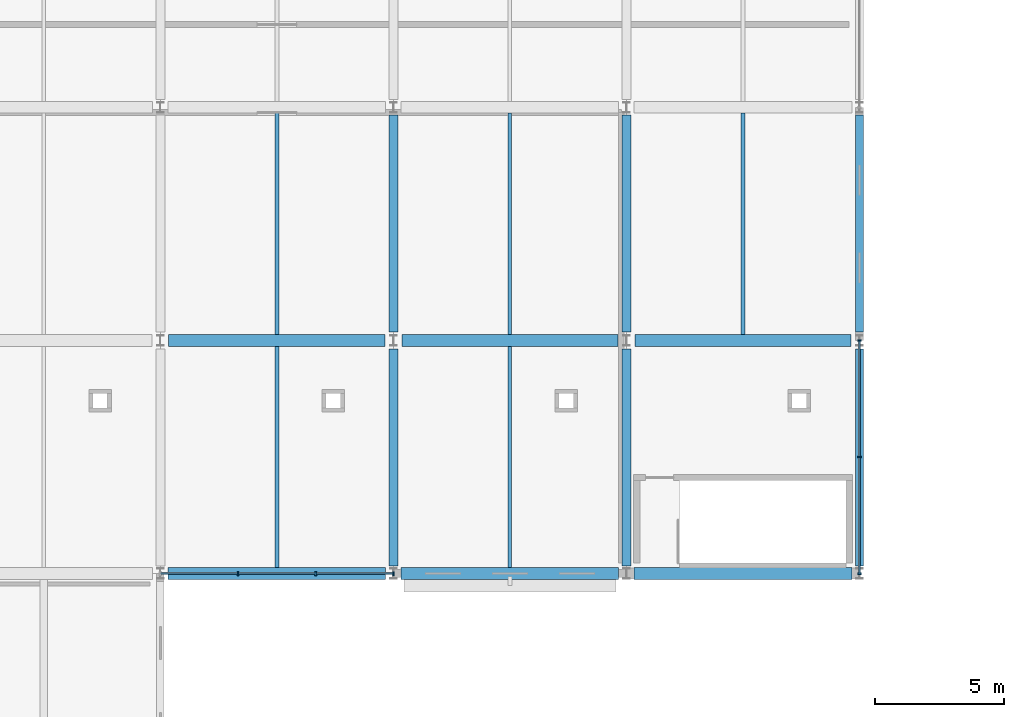
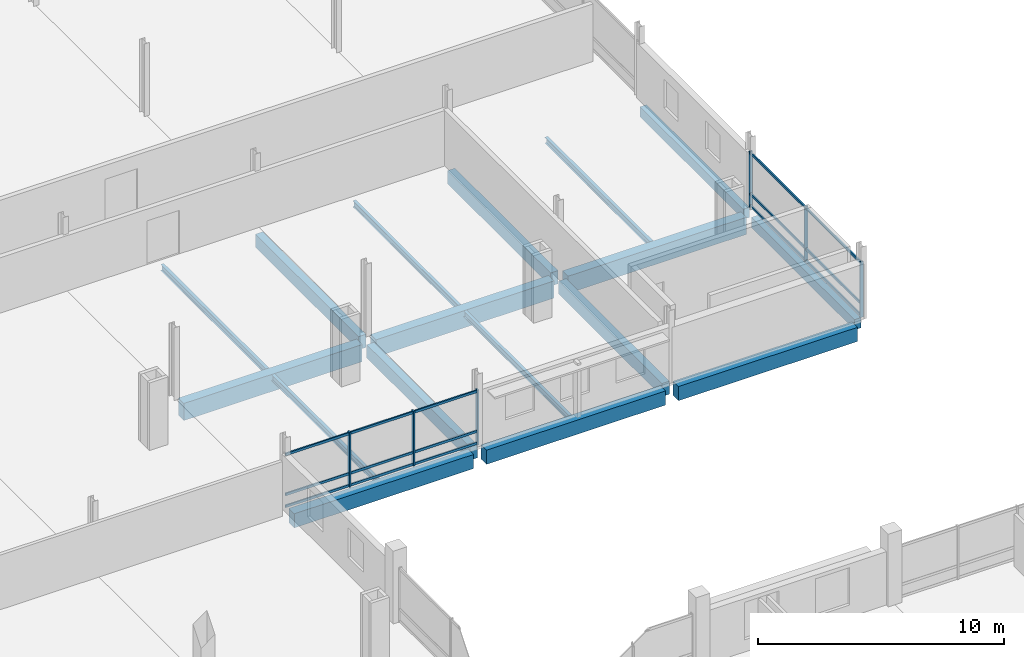
# One storey, part 43 of 132: 21 members, 17 beams, 2 elements without a shape of their own.
"""IFC4 building model written with IfcOpenShell, lengths in metres."""

from ifc_helpers import new_model, si_unit, direction, frame, origin, origin_2d, place, context, subcontext, project, spatial, rectangle, i_section, extrude, material, material_profile, profile_set, type_object, element, aggregate, save


model = new_model("IFC4")

# Units and contexts
model_context = context("Model", 3, precision=1e-05, world=origin(), true_north=direction((0.0, 1.0)))
body_context = subcontext(model_context, "Body", "Model", "MODEL_VIEW")
ifc_project = project(units=[si_unit("LENGTHUNIT", "METRE"), si_unit("AREAUNIT", "SQUARE_METRE"), si_unit("VOLUMEUNIT", "CUBIC_METRE"), si_unit("PLANEANGLEUNIT", "RADIAN"), si_unit("MASSUNIT", "GRAM", prefix="KILO")], contexts=[model_context])

# Site, building, storey
site_placement = place(None, origin())
site = spatial("IfcSite", under=ifc_project, at=site_placement, CompositionType="ELEMENT")
building_placement = place(site_placement, origin())
building = spatial("IfcBuilding", under=site, at=building_placement, Name="Tharagai Park Tramway Depot", CompositionType="ELEMENT")
storey_placement = place(building_placement, frame((0.0, 0.0, 4.800048828125)))
storey = spatial("IfcBuildingStorey", under=building, at=storey_placement, Name="L01", CompositionType="ELEMENT", Elevation=4.800048828125)

# Beams
ifc_material_1 = material(Name="Concrete M35", Category="concrete")
ifc_material_profile_1 = material_profile(ifc_material_1, rectangle(XDim=0.449951171875, YDim=0.85009765625, at=origin_2d()), Name="RC 450x850")
ifc_profile_set_1 = profile_set([ifc_material_profile_1], Name="Concrete M35")
beam_type_1 = type_object("IfcBeamType", Name="BM-03", PredefinedType="BEAM", material=ifc_profile_set_1)
for number, where, z_axis, x_axis, name in (
    (1, (63.324951171875, 54.0, -0.705078125), (1.0, 0.0, 0.0), (0.0, 1.0, 0.0), "L01 Grid Beam BM-03"),
    (2, (72.324951171875, 54.0, -0.705078125), (1.0, 0.0, 0.0), (0.0, 1.0, 0.0), "L01 Grid Beam BM-03"),
    (3, (81.324951171875, 54.0, -0.705078125), (1.0, 0.0, 0.0), (0.0, 1.0, 0.0), "L01 Grid Beam BM-03"),
):
    element("IfcBeam", number, at=place(storey_placement, frame(where, z_axis=z_axis, x_axis=x_axis)), inside=storey, type_object=beam_type_1, Name=name, PredefinedType="BEAM", context=body_context, shape_type="SweptSolid", body=[
        extrude(rectangle(XDim=0.449951171875, YDim=0.85009765625, at=origin_2d()), origin(), (0.0, 0.0, 1.0), 8.35009765625),
    ])
ifc_material_profile_2 = material_profile(ifc_material_1, rectangle(XDim=0.35009765625, YDim=0.64990234375, at=origin_2d()), Name="RC 350x650")
ifc_profile_set_2 = profile_set([ifc_material_profile_2], Name="Concrete M35")
beam_type_2 = type_object("IfcBeamType", Name="BM-13", PredefinedType="BEAM", material=ifc_profile_set_2)
for number, where, z_axis, x_axis, name in (
    (4, (72.0, 45.300048828125, -0.60498046875), (0.0, 1.0, 0.0), (-1.0, 0.0, 0.0), "L01 Grid Beam BM-13"),
    (5, (72.0, 54.324951171875, -0.60498046875), (0.0, 1.0, 0.0), (-1.0, 0.0, 0.0), "L01 Grid Beam BM-13"),
    (6, (81.0, 45.300048828125, -0.60498046875), (0.0, 1.0, 0.0), (-1.0, 0.0, 0.0), "L01 Grid Beam BM-13"),
    (7, (81.0, 54.324951171875, -0.60498046875), (0.0, 1.0, 0.0), (-1.0, 0.0, 0.0), "L01 Grid Beam BM-13"),
):
    element("IfcBeam", number, at=place(storey_placement, frame(where, z_axis=z_axis, x_axis=x_axis)), inside=storey, type_object=beam_type_2, Name=name, PredefinedType="BEAM", context=body_context, shape_type="SweptSolid", body=[
        extrude(rectangle(XDim=0.35009765625, YDim=0.64990234375, at=origin_2d()), origin(), (0.0, 0.0, 1.0), 8.375),
    ])

# Curtain wall, members
ifc_material_2 = material(Name="Anodised aluminium", Category="aluminium")
curtain_wall_type_1 = type_object("IfcCurtainWallType", Name="CW-01", PredefinedType="NOTDEFINED", material=ifc_material_2)
curtain_wall_1_placement = place(storey_placement, origin())
curtain_wall_1 = element("IfcCurtainWall", 8, at=curtain_wall_1_placement, inside=storey, type_object=curtain_wall_type_1, Name="L01 V2 Gothic Mullioned Curtain Wall CW-01", PredefinedType="NOTDEFINED")
ifc_material_profile_3 = material_profile(ifc_material_2, rectangle(XDim=0.06494140625, YDim=0.1201171875, at=origin_2d()), Name="ALU 65x120")
ifc_profile_set_3 = profile_set([ifc_material_profile_3], Name="Anodised aluminium")
member_type_1 = type_object("IfcMemberType", Name="CM-01", PredefinedType="USERDEFINED", material=ifc_profile_set_3)
member_1_placement = place(storey_placement, frame((63.010986328125, 45.0, 0.06005859375), z_axis=(1.0, 0.0, 0.0), x_axis=(0.0, 1.0, 0.0)))
member_1 = element("IfcMember", 9, at=member_1_placement, type_object=member_type_1, Name="L01 V2 Gothic Mullioned Curtain Wall Transom 1.1", ObjectType="TRANSOM", PredefinedType="USERDEFINED", context=body_context, shape_type="SweptSolid", body=[
    extrude(rectangle(XDim=0.06494140625, YDim=0.1201171875, at=origin_2d()), origin(), (0.0, 0.0, 1.0), 2.97265625),
])
member_2_placement = place(storey_placement, frame((63.010986328125, 45.0, 0.64990234375), z_axis=(1.0, 0.0, 0.0), x_axis=(0.0, 1.0, 0.0)))
member_2 = element("IfcMember", 10, at=member_2_placement, type_object=member_type_1, Name="L01 V2 Gothic Mullioned Curtain Wall Transom 1.2", ObjectType="TRANSOM", PredefinedType="USERDEFINED", context=body_context, shape_type="SweptSolid", body=[
    extrude(rectangle(XDim=0.06494140625, YDim=0.1201171875, at=origin_2d()), origin(), (0.0, 0.0, 1.0), 2.97265625),
])
member_3_placement = place(storey_placement, frame((63.010986328125, 45.0, 2.6298828125), z_axis=(1.0, 0.0, 0.0), x_axis=(0.0, 1.0, 0.0)))
member_3 = element("IfcMember", 11, at=member_3_placement, type_object=member_type_1, Name="L01 V2 Gothic Mullioned Curtain Wall Transom 1.3", ObjectType="TRANSOM", PredefinedType="USERDEFINED", context=body_context, shape_type="SweptSolid", body=[
    extrude(rectangle(XDim=0.06494140625, YDim=0.1201171875, at=origin_2d()), origin(), (0.0, 0.0, 1.0), 2.97265625),
])
member_4_placement = place(storey_placement, frame((66.013671875, 45.0, 0.06005859375), z_axis=(1.0, 0.0, 0.0), x_axis=(0.0, 1.0, 0.0)))
member_4 = element("IfcMember", 12, at=member_4_placement, type_object=member_type_1, Name="L01 V2 Gothic Mullioned Curtain Wall Transom 2.1", ObjectType="TRANSOM", PredefinedType="USERDEFINED", context=body_context, shape_type="SweptSolid", body=[
    extrude(rectangle(XDim=0.06494140625, YDim=0.1201171875, at=origin_2d()), origin(), (0.0, 0.0, 1.0), 2.97265625),
])
member_5_placement = place(storey_placement, frame((66.013671875, 45.0, 0.64990234375), z_axis=(1.0, 0.0, 0.0), x_axis=(0.0, 1.0, 0.0)))
member_5 = element("IfcMember", 13, at=member_5_placement, type_object=member_type_1, Name="L01 V2 Gothic Mullioned Curtain Wall Transom 2.2", ObjectType="TRANSOM", PredefinedType="USERDEFINED", context=body_context, shape_type="SweptSolid", body=[
    extrude(rectangle(XDim=0.06494140625, YDim=0.1201171875, at=origin_2d()), origin(), (0.0, 0.0, 1.0), 2.97265625),
])
member_6_placement = place(storey_placement, frame((66.013671875, 45.0, 2.6298828125), z_axis=(1.0, 0.0, 0.0), x_axis=(0.0, 1.0, 0.0)))
member_6 = element("IfcMember", 14, at=member_6_placement, type_object=member_type_1, Name="L01 V2 Gothic Mullioned Curtain Wall Transom 2.3", ObjectType="TRANSOM", PredefinedType="USERDEFINED", context=body_context, shape_type="SweptSolid", body=[
    extrude(rectangle(XDim=0.06494140625, YDim=0.1201171875, at=origin_2d()), origin(), (0.0, 0.0, 1.0), 2.97265625),
])
member_7_placement = place(storey_placement, frame((69.016357421875, 45.0, 0.06005859375), z_axis=(1.0, 0.0, 0.0), x_axis=(0.0, 1.0, 0.0)))
member_7 = element("IfcMember", 15, at=member_7_placement, type_object=member_type_1, Name="L01 V2 Gothic Mullioned Curtain Wall Transom 3.1", ObjectType="TRANSOM", PredefinedType="USERDEFINED", context=body_context, shape_type="SweptSolid", body=[
    extrude(rectangle(XDim=0.06494140625, YDim=0.1201171875, at=origin_2d()), origin(), (0.0, 0.0, 1.0), 2.97265625),
])
member_8_placement = place(storey_placement, frame((69.016357421875, 45.0, 0.64990234375), z_axis=(1.0, 0.0, 0.0), x_axis=(0.0, 1.0, 0.0)))
member_8 = element("IfcMember", 16, at=member_8_placement, type_object=member_type_1, Name="L01 V2 Gothic Mullioned Curtain Wall Transom 3.2", ObjectType="TRANSOM", PredefinedType="USERDEFINED", context=body_context, shape_type="SweptSolid", body=[
    extrude(rectangle(XDim=0.06494140625, YDim=0.1201171875, at=origin_2d()), origin(), (0.0, 0.0, 1.0), 2.97265625),
])
member_9_placement = place(storey_placement, frame((69.016357421875, 45.0, 2.6298828125), z_axis=(1.0, 0.0, 0.0), x_axis=(0.0, 1.0, 0.0)))
member_9 = element("IfcMember", 17, at=member_9_placement, type_object=member_type_1, Name="L01 V2 Gothic Mullioned Curtain Wall Transom 3.3", ObjectType="TRANSOM", PredefinedType="USERDEFINED", context=body_context, shape_type="SweptSolid", body=[
    extrude(rectangle(XDim=0.06494140625, YDim=0.1201171875, at=origin_2d()), origin(), (0.0, 0.0, 1.0), 2.97265625),
])

curtain_wall_type_2 = type_object("IfcCurtainWallType", Name="CW-07", PredefinedType="NOTDEFINED", material=ifc_material_2)
curtain_wall_2_placement = place(storey_placement, origin())
curtain_wall_2 = element("IfcCurtainWall", 18, at=curtain_wall_2_placement, inside=storey, type_object=curtain_wall_type_2, Name="L01 V2 Side Mullioned Curtain Wall CW-07", PredefinedType="NOTDEFINED")
member_10_placement = place(storey_placement, frame((90.0, 45.010986328125, 0.06005859375), z_axis=(0.0, 1.0, 0.0), x_axis=(-1.0, 0.0, 0.0)))
member_10 = element("IfcMember", 19, at=member_10_placement, type_object=member_type_1, Name="L01 V2 Side Mullioned Curtain Wall Transom 1.1", ObjectType="TRANSOM", PredefinedType="USERDEFINED", context=body_context, shape_type="SweptSolid", body=[
    extrude(rectangle(XDim=0.06494140625, YDim=0.1201171875, at=origin_2d()), origin(), (0.0, 0.0, 1.0), 4.47412109375),
])
member_11_placement = place(storey_placement, frame((90.0, 45.010986328125, 0.64990234375), z_axis=(0.0, 1.0, 0.0), x_axis=(-1.0, 0.0, 0.0)))
member_11 = element("IfcMember", 20, at=member_11_placement, type_object=member_type_1, Name="L01 V2 Side Mullioned Curtain Wall Transom 1.2", ObjectType="TRANSOM", PredefinedType="USERDEFINED", context=body_context, shape_type="SweptSolid", body=[
    extrude(rectangle(XDim=0.06494140625, YDim=0.1201171875, at=origin_2d()), origin(), (0.0, 0.0, 1.0), 4.47412109375),
])
member_12_placement = place(storey_placement, frame((90.0, 45.010986328125, 2.669921875), z_axis=(0.0, 1.0, 0.0), x_axis=(-1.0, 0.0, 0.0)))
member_12 = element("IfcMember", 21, at=member_12_placement, type_object=member_type_1, Name="L01 V2 Side Mullioned Curtain Wall Transom 1.3", ObjectType="TRANSOM", PredefinedType="USERDEFINED", context=body_context, shape_type="SweptSolid", body=[
    extrude(rectangle(XDim=0.06494140625, YDim=0.1201171875, at=origin_2d()), origin(), (0.0, 0.0, 1.0), 4.47412109375),
])
member_13_placement = place(storey_placement, frame((90.0, 49.514892578125, 0.06005859375), z_axis=(0.0, 1.0, 0.0), x_axis=(-1.0, 0.0, 0.0)))
member_13 = element("IfcMember", 22, at=member_13_placement, type_object=member_type_1, Name="L01 V2 Side Mullioned Curtain Wall Transom 2.1", ObjectType="TRANSOM", PredefinedType="USERDEFINED", context=body_context, shape_type="SweptSolid", body=[
    extrude(rectangle(XDim=0.06494140625, YDim=0.1201171875, at=origin_2d()), origin(), (0.0, 0.0, 1.0), 4.47412109375),
])
member_14_placement = place(storey_placement, frame((90.0, 49.514892578125, 0.64990234375), z_axis=(0.0, 1.0, 0.0), x_axis=(-1.0, 0.0, 0.0)))
member_14 = element("IfcMember", 23, at=member_14_placement, type_object=member_type_1, Name="L01 V2 Side Mullioned Curtain Wall Transom 2.2", ObjectType="TRANSOM", PredefinedType="USERDEFINED", context=body_context, shape_type="SweptSolid", body=[
    extrude(rectangle(XDim=0.06494140625, YDim=0.1201171875, at=origin_2d()), origin(), (0.0, 0.0, 1.0), 4.47412109375),
])
member_15_placement = place(storey_placement, frame((90.0, 49.514892578125, 2.669921875), z_axis=(0.0, 1.0, 0.0), x_axis=(-1.0, 0.0, 0.0)))
member_15 = element("IfcMember", 24, at=member_15_placement, type_object=member_type_1, Name="L01 V2 Side Mullioned Curtain Wall Transom 2.3", ObjectType="TRANSOM", PredefinedType="USERDEFINED", context=body_context, shape_type="SweptSolid", body=[
    extrude(rectangle(XDim=0.06494140625, YDim=0.1201171875, at=origin_2d()), origin(), (0.0, 0.0, 1.0), 4.47412109375),
])

# Member
ifc_material_profile_4 = material_profile(ifc_material_2, rectangle(XDim=0.06494140625, YDim=0.14990234375, at=origin_2d()), Name="ALU 65x150")
ifc_profile_set_4 = profile_set([ifc_material_profile_4], Name="Anodised aluminium")
member_type_2 = type_object("IfcMemberType", Name="CM-03", PredefinedType="MULLION", material=ifc_profile_set_4)
member_16_placement = place(storey_placement, frame((65.998779296875, 45.0, -0.005126953125), z_axis=(0.0, 0.0, 1.0), x_axis=(1.0, 0.0, 0.0)))
member_16 = element("IfcMember", 25, at=member_16_placement, type_object=member_type_2, Name="L01 V2 Gothic Mullioned Curtain Wall Mullion 2", PredefinedType="MULLION", context=body_context, shape_type="SweptSolid", body=[
    extrude(rectangle(XDim=0.06494140625, YDim=0.14990234375, at=origin_2d()), origin(), (0.0, 0.0, 1.0), 2.719970703125),
])

member_17_placement = place(storey_placement, frame((69.001220703125, 45.0, -0.005126953125), z_axis=(0.0, 0.0, 1.0), x_axis=(1.0, 0.0, 0.0)))
member_17 = element("IfcMember", 26, at=member_17_placement, type_object=member_type_2, Name="L01 V2 Gothic Mullioned Curtain Wall Mullion 3", PredefinedType="MULLION", context=body_context, shape_type="SweptSolid", body=[
    extrude(rectangle(XDim=0.06494140625, YDim=0.14990234375, at=origin_2d()), origin(), (0.0, 0.0, 1.0), 2.719970703125),
])

member_18_placement = place(storey_placement, frame((72.00390625, 45.0, -0.005126953125), z_axis=(0.0, 0.0, 1.0), x_axis=(1.0, 0.0, 0.0)))
member_18 = element("IfcMember", 27, at=member_18_placement, type_object=member_type_2, Name="L01 V2 Gothic Mullioned Curtain Wall Mullion 4", PredefinedType="MULLION", context=body_context, shape_type="SweptSolid", body=[
    extrude(rectangle(XDim=0.06494140625, YDim=0.14990234375, at=origin_2d()), origin(), (0.0, 0.0, 1.0), 2.719970703125),
])

aggregate(curtain_wall_1, [member_16, member_17, member_18, member_1, member_2, member_3, member_4, member_5, member_6, member_7, member_8, member_9])

member_19_placement = place(storey_placement, frame((90.0, 44.99609375, -0.005126953125), z_axis=(0.0, 0.0, 1.0), x_axis=(0.0, 1.0, 0.0)))
member_19 = element("IfcMember", 28, at=member_19_placement, type_object=member_type_2, Name="L01 V2 Side Mullioned Curtain Wall Mullion 1", PredefinedType="MULLION", context=body_context, shape_type="SweptSolid", body=[
    extrude(rectangle(XDim=0.06494140625, YDim=0.14990234375, at=origin_2d()), origin(), (0.0, 0.0, 1.0), 2.760009765625),
])

member_20_placement = place(storey_placement, frame((90.0, 49.5, -0.005126953125), z_axis=(0.0, 0.0, 1.0), x_axis=(0.0, 1.0, 0.0)))
member_20 = element("IfcMember", 29, at=member_20_placement, type_object=member_type_2, Name="L01 V2 Side Mullioned Curtain Wall Mullion 2", PredefinedType="MULLION", context=body_context, shape_type="SweptSolid", body=[
    extrude(rectangle(XDim=0.06494140625, YDim=0.14990234375, at=origin_2d()), origin(), (0.0, 0.0, 1.0), 2.760009765625),
])

member_21_placement = place(storey_placement, frame((90.0, 54.00390625, -0.005126953125), z_axis=(0.0, 0.0, 1.0), x_axis=(0.0, 1.0, 0.0)))
member_21 = element("IfcMember", 30, at=member_21_placement, type_object=member_type_2, Name="L01 V2 Side Mullioned Curtain Wall Mullion 3", PredefinedType="MULLION", context=body_context, shape_type="SweptSolid", body=[
    extrude(rectangle(XDim=0.06494140625, YDim=0.14990234375, at=origin_2d()), origin(), (0.0, 0.0, 1.0), 2.760009765625),
])

aggregate(curtain_wall_2, [member_19, member_20, member_21, member_10, member_11, member_12, member_13, member_14, member_15])

# Beams
ifc_material_3 = material(Name="Steel E350", Category="steel")
ifc_material_profile_5 = material_profile(ifc_material_3, i_section(OverallWidth=0.139892578125, OverallDepth=0.300048828125, WebThickness=0.0078125, FlangeThickness=0.01318359375, FilletRadius=0.013916015625, at=origin_2d()), Name="ISMB 300")
ifc_profile_set_5 = profile_set([ifc_material_profile_5], Name="Steel E350")
beam_type_3 = type_object("IfcBeamType", Name="JT-03", PredefinedType="JOIST", material=ifc_profile_set_5)
for number, where, z_axis, x_axis, name in (
    (31, (76.5, 45.22509765625, -0.429931640625), (0.0, 1.0, 0.0), (-1.0, 0.0, 0.0), "L01 Secondary Joist JT-03"),
    (32, (76.5, 54.22509765625, -0.429931640625), (0.0, 1.0, 0.0), (-1.0, 0.0, 0.0), "L01 Secondary Joist JT-03"),
):
    element("IfcBeam", number, at=place(storey_placement, frame(where, z_axis=z_axis, x_axis=x_axis)), inside=storey, type_object=beam_type_3, Name=name, PredefinedType="JOIST", context=body_context, shape_type="SweptSolid", body=[
        extrude(i_section(OverallWidth=0.139892578125, OverallDepth=0.300048828125, WebThickness=0.0078125, FlangeThickness=0.01318359375, FilletRadius=0.013916015625, at=origin_2d()), origin(), (0.0, 0.0, 1.0), 8.5498046875),
    ])
ifc_material_profile_6 = material_profile(ifc_material_3, i_section(OverallWidth=0.14990234375, OverallDepth=0.300048828125, WebThickness=0.006591796875, FlangeThickness=0.009521484375, FilletRadius=0.011962890625, at=origin_2d()), Name="ISLB 300")
ifc_profile_set_6 = profile_set([ifc_material_profile_6], Name="Steel E350")
beam_type_4 = type_object("IfcBeamType", Name="JT-07", PredefinedType="JOIST", material=ifc_profile_set_6)
for number, where, z_axis, x_axis, name in (
    (33, (67.5, 45.22509765625, -0.429931640625), (0.0, 1.0, 0.0), (-1.0, 0.0, 0.0), "L01 Secondary Joist JT-07"),
    (34, (67.5, 54.22509765625, -0.429931640625), (0.0, 1.0, 0.0), (-1.0, 0.0, 0.0), "L01 Secondary Joist JT-07"),
    (35, (85.5, 54.22509765625, -0.429931640625), (0.0, 1.0, 0.0), (-1.0, 0.0, 0.0), "L01 Secondary Joist JT-07"),
):
    element("IfcBeam", number, at=place(storey_placement, frame(where, z_axis=z_axis, x_axis=x_axis)), inside=storey, type_object=beam_type_4, Name=name, PredefinedType="JOIST", context=body_context, shape_type="SweptSolid", body=[
        extrude(i_section(OverallWidth=0.14990234375, OverallDepth=0.300048828125, WebThickness=0.006591796875, FlangeThickness=0.009521484375, FilletRadius=0.011962890625, at=origin_2d()), origin(), (0.0, 0.0, 1.0), 8.5498046875),
    ])
ifc_material_profile_7 = material_profile(ifc_material_1, rectangle(XDim=0.449951171875, YDim=0.699951171875, at=origin_2d()), Name="RC 450x700")
ifc_profile_set_7 = profile_set([ifc_material_profile_7], Name="Concrete M35")
beam_type_5 = type_object("IfcBeamType", Name="SP-01", PredefinedType="SPANDREL", material=ifc_profile_set_7)
for number, where, z_axis, x_axis, name in (
    (36, (63.300048828125, 45.0, -0.630126953125), (1.0, 0.0, 0.0), (0.0, 1.0, 0.0), "L01 Grid Beam SP-01"),
    (37, (72.300048828125, 45.0, -0.630126953125), (1.0, 0.0, 0.0), (0.0, 1.0, 0.0), "L01 Grid Beam SP-01"),
    (38, (81.300048828125, 45.0, -0.630126953125), (1.0, 0.0, 0.0), (0.0, 1.0, 0.0), "L01 Grid Beam SP-01"),
):
    element("IfcBeam", number, at=place(storey_placement, frame(where, z_axis=z_axis, x_axis=x_axis)), inside=storey, type_object=beam_type_5, Name=name, PredefinedType="SPANDREL", context=body_context, shape_type="SweptSolid", body=[
        extrude(rectangle(XDim=0.449951171875, YDim=0.699951171875, at=origin_2d()), origin(), (0.0, 0.0, 1.0), 8.39990234375),
    ])
ifc_material_profile_8 = material_profile(ifc_material_1, rectangle(XDim=0.300048828125, YDim=0.5, at=origin_2d()), Name="RC 300x500")
ifc_profile_set_8 = profile_set([ifc_material_profile_8], Name="Concrete M35")
beam_type_6 = type_object("IfcBeamType", Name="SP-03", PredefinedType="SPANDREL", material=ifc_profile_set_8)
for number, where, z_axis, x_axis, name in (
    (39, (90.0, 45.300048828125, -0.530029296875), (0.0, 1.0, 0.0), (-1.0, 0.0, 0.0), "L01 Grid Beam SP-03"),
    (40, (90.0, 54.324951171875, -0.530029296875), (0.0, 1.0, 0.0), (-1.0, 0.0, 0.0), "L01 Grid Beam SP-03"),
):
    element("IfcBeam", number, at=place(storey_placement, frame(where, z_axis=z_axis, x_axis=x_axis)), inside=storey, type_object=beam_type_6, Name=name, PredefinedType="SPANDREL", context=body_context, shape_type="SweptSolid", body=[
        extrude(rectangle(XDim=0.300048828125, YDim=0.5, at=origin_2d()), origin(), (0.0, 0.0, 1.0), 8.375),
    ])

save(model, "model.ifc")
